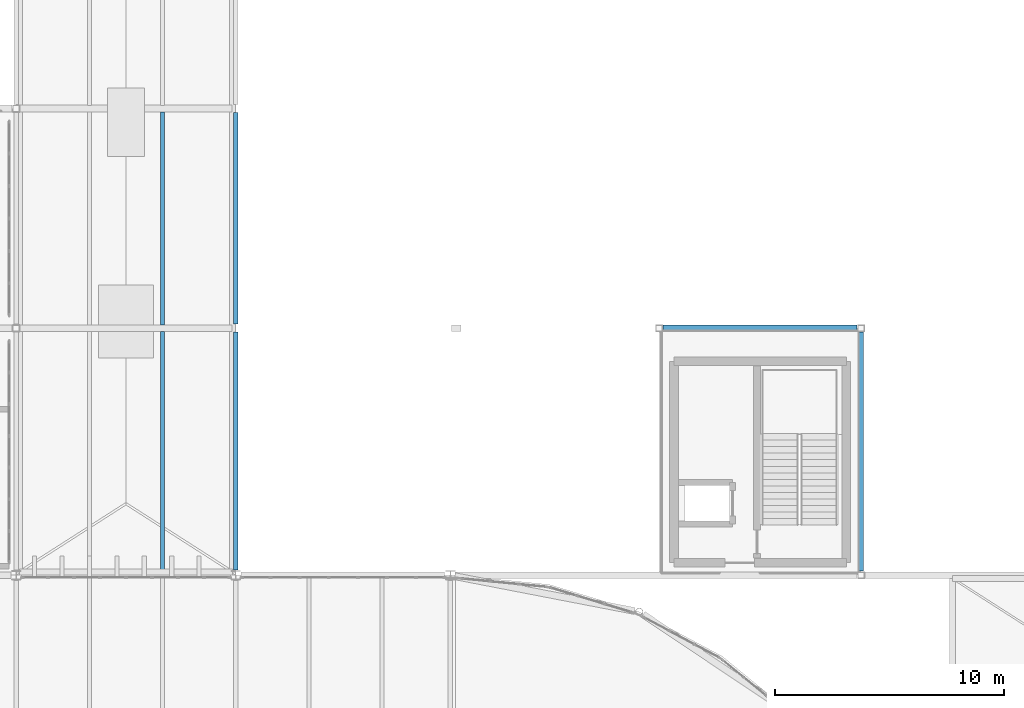
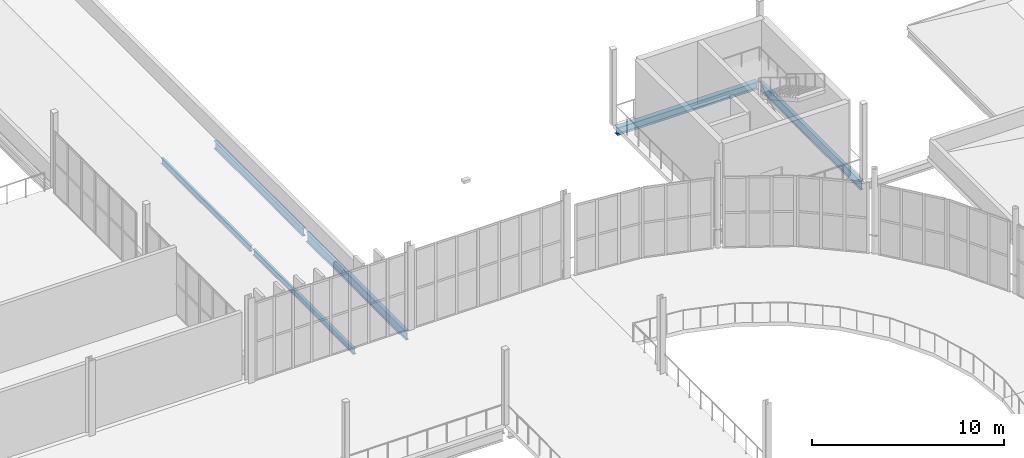
# One storey, part 69 of 112: 6 beams.
"""IFC4 building model written with IfcOpenShell, lengths in metres."""

from ifc_helpers import new_model, si_unit, direction, frame, origin, origin_2d, place, context, subcontext, project, spatial, i_section, extrude, material, material_profile, profile_set, type_object, element, save


model = new_model("IFC4")

# Units and contexts
model_context = context("Model", 3, precision=1e-05, world=origin(), true_north=direction((0.0, 1.0)))
body_context = subcontext(model_context, "Body", "Model", "MODEL_VIEW")
ifc_project = project(units=[si_unit("LENGTHUNIT", "METRE"), si_unit("AREAUNIT", "SQUARE_METRE"), si_unit("VOLUMEUNIT", "CUBIC_METRE"), si_unit("PLANEANGLEUNIT", "RADIAN"), si_unit("MASSUNIT", "GRAM", prefix="KILO")], contexts=[model_context])

# Site, building, storey
site_placement = place(None, origin())
site = spatial("IfcSite", under=ifc_project, at=site_placement, CompositionType="ELEMENT")
building_placement = place(site_placement, origin())
building = spatial("IfcBuilding", under=site, at=building_placement, Name="Yeouljin Market Hall", CompositionType="ELEMENT")
storey_placement = place(building_placement, frame((0.0, 0.0, 6.0)))
storey = spatial("IfcBuildingStorey", under=building, at=storey_placement, Name="L01", CompositionType="ELEMENT", Elevation=6.0)

# Beams
ifc_material_1 = material(Name="Steel SM355", Category="steel")
ifc_material_profile_1 = material_profile(ifc_material_1, i_section(OverallWidth=0.199951171875, OverallDepth=0.5, WebThickness=0.010009765625, FlangeThickness=0.01611328125, FilletRadius=0.02001953125, at=origin_2d()), Name="H-500x200x10x16")
ifc_profile_set_1 = profile_set([ifc_material_profile_1], Name="Steel SM355")
beam_type_1 = type_object("IfcBeamType", Name="Beam_H-500x200x10x16", PredefinedType="BEAM", material=ifc_profile_set_1)
beam_1_placement = place(storey_placement, frame((131.39990234375, 88.97509765625, -0.530029296875), z_axis=(0.0, 1.0, 0.0), x_axis=(-1.0, 0.0, 0.0)))
element("IfcBeam", 1, at=beam_1_placement, inside=storey, type_object=beam_type_1, Name="Primary beam BM-L01-Y204", PredefinedType="BEAM", context=body_context, shape_type="SweptSolid", body=[
    extrude(i_section(OverallWidth=0.199951171875, OverallDepth=0.5, WebThickness=0.010009765625, FlangeThickness=0.01611328125, FilletRadius=0.02001953125, at=origin_2d()), origin(), (0.0, 0.0, 1.0), 9.25),
])
ifc_material_2 = material(Name="Steel SM355", Category="steel")
ifc_material_profile_2 = material_profile(ifc_material_2, i_section(OverallWidth=0.199951171875, OverallDepth=0.60009765625, WebThickness=0.010986328125, FlangeThickness=0.01708984375, FilletRadius=0.02197265625, at=origin_2d()), Name="H-600x200x11x17")
ifc_profile_set_2 = profile_set([ifc_material_profile_2], Name="Steel SM355")
beam_type_2 = type_object("IfcBeamType", Name="Beam_H-600x200x11x17", PredefinedType="BEAM", material=ifc_profile_set_2)
beam_2_placement = place(storey_placement, frame((131.39990234375, 78.22509765625, -0.580078125), z_axis=(0.0, 1.0, 0.0), x_axis=(-1.0, 0.0, 0.0)))
element("IfcBeam", 2, at=beam_2_placement, inside=storey, type_object=beam_type_2, Name="Primary beam BM-L01-Y203", PredefinedType="BEAM", context=body_context, shape_type="SweptSolid", body=[
    extrude(i_section(OverallWidth=0.199951171875, OverallDepth=0.60009765625, WebThickness=0.010986328125, FlangeThickness=0.01708984375, FilletRadius=0.02197265625, at=origin_2d()), origin(), (0.0, 0.0, 1.0), 10.39990234375),
])
beam_3_placement = place(storey_placement, frame((158.739990234375, 78.175048828125, -0.56494140625), z_axis=(0.0, 1.0, 0.0), x_axis=(-1.0, 0.0, 0.0)))
element("IfcBeam", 3, at=beam_3_placement, inside=storey, type_object=beam_type_2, Name="Primary beam BM-L01-Y225", PredefinedType="BEAM", context=body_context, shape_type="SweptSolid", body=[
    extrude(i_section(OverallWidth=0.199951171875, OverallDepth=0.60009765625, WebThickness=0.010986328125, FlangeThickness=0.01708984375, FilletRadius=0.02197265625, at=origin_2d()), origin(), (0.0, 0.0, 1.0), 10.449951171875),
])
ifc_material_3 = material(Name="Steel SM355", Category="steel")
ifc_material_profile_3 = material_profile(ifc_material_3, i_section(OverallWidth=0.300048828125, OverallDepth=0.488037109375, WebThickness=0.010986328125, FlangeThickness=0.01806640625, FilletRadius=0.02197265625, at=origin_2d()), Name="H-488x300x11x18")
ifc_profile_set_3 = profile_set([ifc_material_profile_3], Name="Steel SM355")
beam_type_3 = type_object("IfcBeamType", Name="Girder_H-488x300x11x18", PredefinedType="USERDEFINED", material=ifc_profile_set_3)
beam_4_placement = place(storey_placement, frame((150.0849609375, 88.800048828125, -0.509033203125), z_axis=(1.0, 0.0, 0.0), x_axis=(0.0, 1.0, 0.0)))
element("IfcBeam", 4, at=beam_4_placement, inside=storey, type_object=beam_type_3, Name="Primary girder GRD-L01-X105", ObjectType="GIRDER", PredefinedType="USERDEFINED", context=body_context, shape_type="SweptSolid", body=[
    extrude(i_section(OverallWidth=0.300048828125, OverallDepth=0.488037109375, WebThickness=0.010986328125, FlangeThickness=0.01806640625, FilletRadius=0.02197265625, at=origin_2d()), origin(), (0.0, 0.0, 1.0), 8.47998046875),
])
ifc_material_4 = material(Name="Steel SM355", Category="steel")
ifc_material_profile_4 = material_profile(ifc_material_4, i_section(OverallWidth=0.175048828125, OverallDepth=0.35009765625, WebThickness=0.007080078125, FlangeThickness=0.010986328125, FilletRadius=0.013916015625, at=origin_2d()), Name="H-350x175x7x11")
ifc_profile_set_4 = profile_set([ifc_material_profile_4], Name="Steel SM355")
beam_type_4 = type_object("IfcBeamType", Name="Joist_H-350x175x7x11", PredefinedType="JOIST", material=ifc_profile_set_4)
beam_5_placement = place(storey_placement, frame((128.199951171875, 78.14697265625, -0.455078125), z_axis=(0.0, 1.0, 0.0), x_axis=(-1.0, 0.0, 0.0)))
element("IfcBeam", 5, at=beam_5_placement, inside=storey, type_object=beam_type_4, Name="Secondary floor joist L01-087", PredefinedType="JOIST", context=body_context, shape_type="SweptSolid", body=[
    extrude(i_section(OverallWidth=0.175048828125, OverallDepth=0.35009765625, WebThickness=0.007080078125, FlangeThickness=0.010986328125, FilletRadius=0.013916015625, at=origin_2d()), origin(), (0.0, 0.0, 1.0), 10.506103515625),
])
beam_6_placement = place(storey_placement, frame((128.199951171875, 88.947021484375, -0.455078125), z_axis=(0.0, 1.0, 0.0), x_axis=(-1.0, 0.0, 0.0)))
element("IfcBeam", 6, at=beam_6_placement, inside=storey, type_object=beam_type_4, Name="Secondary floor joist L01-089", PredefinedType="JOIST", context=body_context, shape_type="SweptSolid", body=[
    extrude(i_section(OverallWidth=0.175048828125, OverallDepth=0.35009765625, WebThickness=0.007080078125, FlangeThickness=0.010986328125, FilletRadius=0.013916015625, at=origin_2d()), origin(), (0.0, 0.0, 1.0), 9.305908203125),
])

save(model, "model.ifc")
